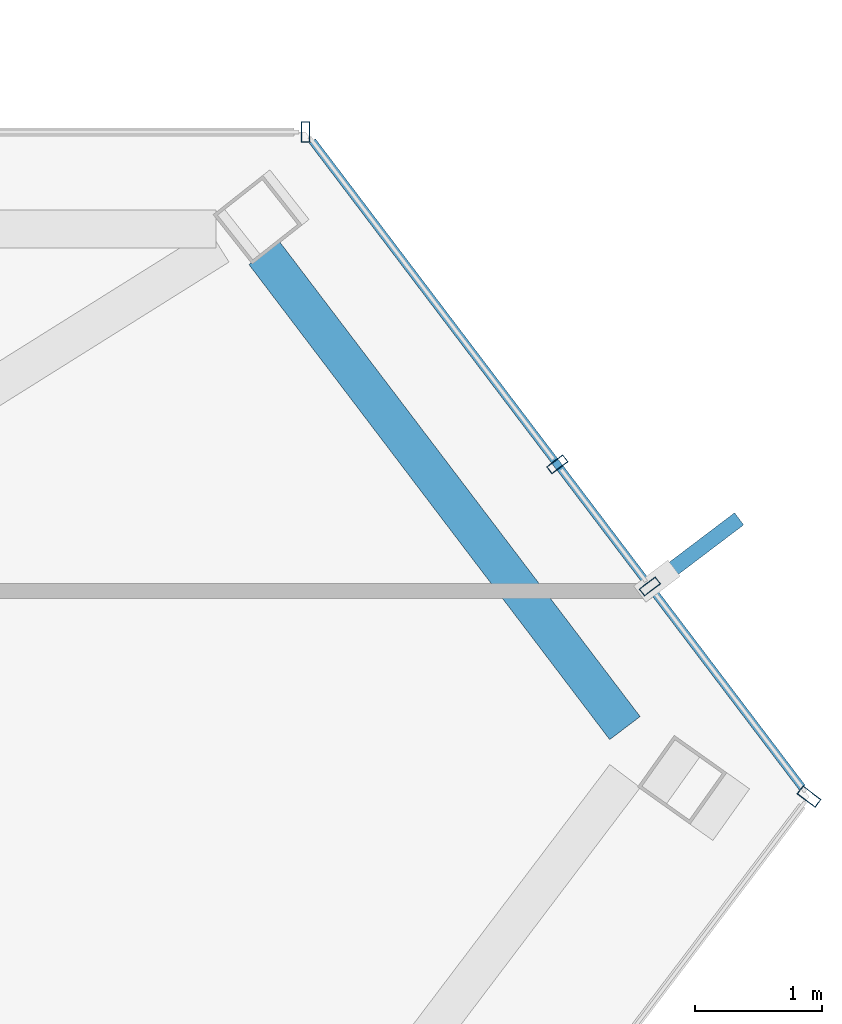
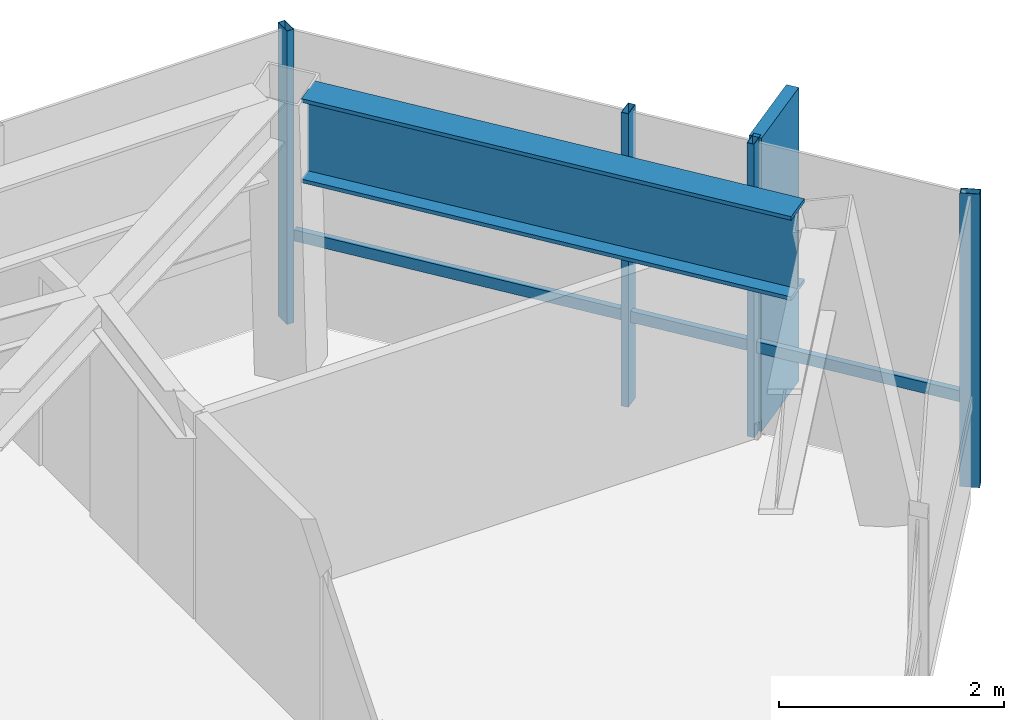
# One storey, part 20 of 26: 6 members, 1 beam, 3 elements without a shape of their own.
"""IFC4 building model written with IfcOpenShell, lengths in metres."""

from ifc_helpers import new_model, si_unit, direction, frame, origin, origin_2d, place, context, subcontext, project, spatial, rectangle, hollow_rectangle, i_section, extrude, material, layer, layer_set, material_profile, profile_set, type_object, element, aggregate, save


model = new_model("IFC4")

# Units and contexts
model_context = context("Model", 3, precision=1e-05, world=origin(), true_north=direction((0.0, 1.0)))
body_context = subcontext(model_context, "Body", "Model", "MODEL_VIEW")
ifc_project = project(units=[si_unit("LENGTHUNIT", "METRE"), si_unit("AREAUNIT", "SQUARE_METRE"), si_unit("VOLUMEUNIT", "CUBIC_METRE"), si_unit("PLANEANGLEUNIT", "RADIAN"), si_unit("MASSUNIT", "GRAM", prefix="KILO")], contexts=[model_context])

# Site, building, storey
site_placement = place(None, origin())
site = spatial("IfcSite", under=ifc_project, at=site_placement, CompositionType="ELEMENT")
building_placement = place(site_placement, origin())
building = spatial("IfcBuilding", under=site, at=building_placement, Name="Zarrinselat Tower", CompositionType="ELEMENT")
storey_placement = place(building_placement, frame((0.0, 0.0, 265.199951171875)))
storey = spatial("IfcBuildingStorey", under=building, at=storey_placement, Name="L67", CompositionType="ELEMENT", Elevation=265.199951171875)

# Beam
ifc_material_1 = material(Name="Steel S460M", Category="steel")
ifc_material_profile_1 = material_profile(ifc_material_1, i_section(OverallWidth=0.302001953125, OverallDepth=0.909912109375, WebThickness=0.02099609375, FlangeThickness=0.0400390625, at=origin_2d()), Name="HEM 900")
ifc_profile_set_1 = profile_set([ifc_material_profile_1], Name="Steel S460M")
beam_type = type_object("IfcBeamType", Name="BM-HEM900", PredefinedType="BEAM", material=ifc_profile_set_1)
beam_placement = place(storey_placement, frame((56.947509765625, 46.910400390625, 2.72509765625), z_axis=(0.60477858879, -0.796393658024, 0.0), x_axis=(0.796393658024, 0.60477858879, 0.0)))
element("IfcBeam", 1, at=beam_placement, inside=storey, type_object=beam_type, Name="L67 Perimeter Spandrel Girder SP15", PredefinedType="BEAM", context=body_context, shape_type="SweptSolid", body=[
    extrude(i_section(OverallWidth=0.302001953125, OverallDepth=0.909912109375, WebThickness=0.02099609375, FlangeThickness=0.0400390625, at=origin_2d()), origin(), (0.0, 0.0, 1.0), 4.71435546875),
])

# Curtain wall, member
ifc_material_2 = material(Name="Extruded Aluminium Alloy EN AW-6063 T6", Category="aluminium")
ifc_layer_1 = layer(ifc_material_2, 0.199951171875)
ifc_layer_set_1 = layer_set([ifc_layer_1], Name="Extruded Aluminium Alloy EN AW-6063 T6")
curtain_wall_type_1 = type_object("IfcCurtainWallType", Name="CWS-BLADE", PredefinedType="NOTDEFINED", material=ifc_layer_set_1)
curtain_wall_1_placement = place(storey_placement, origin())
curtain_wall_1 = element("IfcCurtainWall", 2, at=curtain_wall_1_placement, inside=storey, type_object=curtain_wall_type_1, Name="L67 Unitised Curtain Wall CW-L67-E05", PredefinedType="NOTDEFINED")
ifc_material_3 = material(Name="Extruded Aluminium Alloy EN AW-6063 T6", Category="aluminium")
ifc_material_profile_2 = material_profile(ifc_material_3, hollow_rectangle(XDim=0.080078125, YDim=0.179931640625, WallThickness=0.0048828125, at=origin_2d()), Name="RHS 180x80x5")
ifc_profile_set_2 = profile_set([ifc_material_profile_2], Name="Extruded Aluminium Alloy EN AW-6063 T6")
member_type_1 = type_object("IfcMemberType", Name="MEM-CW-MUL", PredefinedType="MULLION", material=ifc_profile_set_2)
member_1_placement = place(storey_placement, frame((61.25390625, 42.614013671875, 0.0), z_axis=(0.0, 0.0, 1.0), x_axis=(0.603859570382, 0.7970907221, 0.0)))
member_1 = element("IfcMember", 3, at=member_1_placement, type_object=member_type_1, Name="CW-L67-E05 Mullion 11", PredefinedType="MULLION", context=body_context, shape_type="SweptSolid", body=[
    extrude(hollow_rectangle(XDim=0.080078125, YDim=0.179931640625, WallThickness=0.0048828125, at=origin_2d()), origin(), (0.0, 0.0, 1.0), 3.179931640625),
])
aggregate(curtain_wall_1, [member_1])

ifc_material_4 = material(Name="Extruded Aluminium Alloy EN AW-6063 T6", Category="aluminium")
ifc_layer_2 = layer(ifc_material_4, 0.169921875)
ifc_layer_set_2 = layer_set([ifc_layer_2], Name="Extruded Aluminium Alloy EN AW-6063 T6")
curtain_wall_type_2 = type_object("IfcCurtainWallType", Name="CWS-RES", PredefinedType="NOTDEFINED", material=ifc_layer_set_2)
curtain_wall_2_placement = place(storey_placement, origin())
curtain_wall_2 = element("IfcCurtainWall", 4, at=curtain_wall_2_placement, inside=storey, type_object=curtain_wall_type_2, Name="L67 Unitised Curtain Wall CW-L67-E01", PredefinedType="NOTDEFINED")
ifc_material_5 = material(Name="Extruded Aluminium Alloy EN AW-6063 T6", Category="aluminium")
ifc_material_profile_3 = material_profile(ifc_material_5, hollow_rectangle(XDim=0.070068359375, YDim=0.159912109375, WallThickness=0.00390625, at=origin_2d()), Name="RHS 160x70x4")
ifc_profile_set_3 = profile_set([ifc_material_profile_3], Name="Extruded Aluminium Alloy EN AW-6063 T6")
member_type_2 = type_object("IfcMemberType", Name="MEM-CW-MUL2", PredefinedType="MULLION", material=ifc_profile_set_3)
member_2_placement = place(storey_placement, frame((57.274658203125, 47.86669921875, 0.0), z_axis=(0.0, 0.0, 1.0), x_axis=(-1.0, 0.0, 0.0)))
member_2 = element("IfcMember", 5, at=member_2_placement, type_object=member_type_2, Name="CW-L67-E01 Mullion 0", PredefinedType="MULLION", context=body_context, shape_type="SweptSolid", body=[
    extrude(hollow_rectangle(XDim=0.070068359375, YDim=0.159912109375, WallThickness=0.00390625, at=origin_2d()), origin(), (0.0, 0.0, 1.0), 3.179931640625),
])
aggregate(curtain_wall_2, [member_2])

# Curtain wall, members
curtain_wall_3_placement = place(storey_placement, origin())
curtain_wall_3 = element("IfcCurtainWall", 6, at=curtain_wall_3_placement, inside=storey, type_object=curtain_wall_type_2, Name="L67 Unitised Curtain Wall CW-L67-E06", PredefinedType="NOTDEFINED")
member_3_placement = place(storey_placement, frame((59.99560546875, 44.275146484375, 0.0), z_axis=(0.0, 0.0, 1.0), x_axis=(-0.603858272322, 0.797091705482, 0.0)))
member_3 = element("IfcMember", 7, at=member_3_placement, type_object=member_type_2, Name="CW-L67-E06 Mullion 1", PredefinedType="MULLION", context=body_context, shape_type="SweptSolid", body=[
    extrude(hollow_rectangle(XDim=0.070068359375, YDim=0.159912109375, WallThickness=0.00390625, at=origin_2d()), origin(), (0.0, 0.0, 1.0), 3.179931640625),
])
member_4_placement = place(storey_placement, frame((59.264404296875, 45.240234375, 0.0), z_axis=(0.0, 0.0, 1.0), x_axis=(-0.603858272322, 0.797091705482, 0.0)))
member_4 = element("IfcMember", 8, at=member_4_placement, type_object=member_type_2, Name="CW-L67-E06 Mullion 2", PredefinedType="MULLION", context=body_context, shape_type="SweptSolid", body=[
    extrude(hollow_rectangle(XDim=0.070068359375, YDim=0.159912109375, WallThickness=0.00390625, at=origin_2d()), origin(), (0.0, 0.0, 1.0), 3.179931640625),
])
ifc_material_6 = material(Name="Extruded Aluminium Alloy EN AW-6063 T6", Category="aluminium")
ifc_material_profile_4 = material_profile(ifc_material_6, hollow_rectangle(XDim=0.06005859375, YDim=0.1201171875, WallThickness=0.00390625, at=origin_2d()), Name="RHS 120x60x4")
ifc_profile_set_4 = profile_set([ifc_material_profile_4], Name="Extruded Aluminium Alloy EN AW-6063 T6")
member_type_3 = type_object("IfcMemberType", Name="MEM-CW-TRN2", PredefinedType="USERDEFINED", material=ifc_profile_set_4)
member_5_placement = place(storey_placement, frame((61.19970703125, 42.685546875, 0.949951171875), z_axis=(-0.60386868738, 0.797083815168, 0.0), x_axis=(-0.797083815168, -0.60386868738, 0.0)))
member_5 = element("IfcMember", 9, at=member_5_placement, type_object=member_type_3, Name="CW-L67-E06 Transom 1", ObjectType="TRANSOM", PredefinedType="USERDEFINED", context=body_context, shape_type="SweptSolid", body=[
    extrude(hollow_rectangle(XDim=0.06005859375, YDim=0.1201171875, WallThickness=0.00390625, at=origin_2d()), origin(), (0.0, 0.0, 1.0), 6.41015625),
])
ifc_material_7 = material(Name="Honed Cream Travertine Stone", Category="masonry")
ifc_material_profile_5 = material_profile(ifc_material_7, rectangle(XDim=0.1201171875, YDim=0.85009765625, at=origin_2d()), Name="FIN 850x120")
ifc_profile_set_5 = profile_set([ifc_material_profile_5], Name="Honed Cream Travertine Stone")
member_type_4 = type_object("IfcMemberType", Name="MEM-STONE-FIN", PredefinedType="USERDEFINED", material=ifc_profile_set_5)
member_6_placement = place(storey_placement, frame((60.3623046875, 44.552978515625, 0.0), z_axis=(0.0, 0.0, 1.0), x_axis=(0.603858272322, -0.797091705482, 0.0)))
member_6 = element("IfcMember", 10, at=member_6_placement, type_object=member_type_4, Name="L67 Stone Shading Fin CW-L67-E06-01", ObjectType="FIN", PredefinedType="USERDEFINED", context=body_context, shape_type="SweptSolid", body=[
    extrude(rectangle(XDim=0.1201171875, YDim=0.85009765625, at=origin_2d()), origin(), (0.0, 0.0, 1.0), 3.179931640625),
])
aggregate(curtain_wall_3, [member_3, member_6, member_4, member_5])

save(model, "model.ifc")
